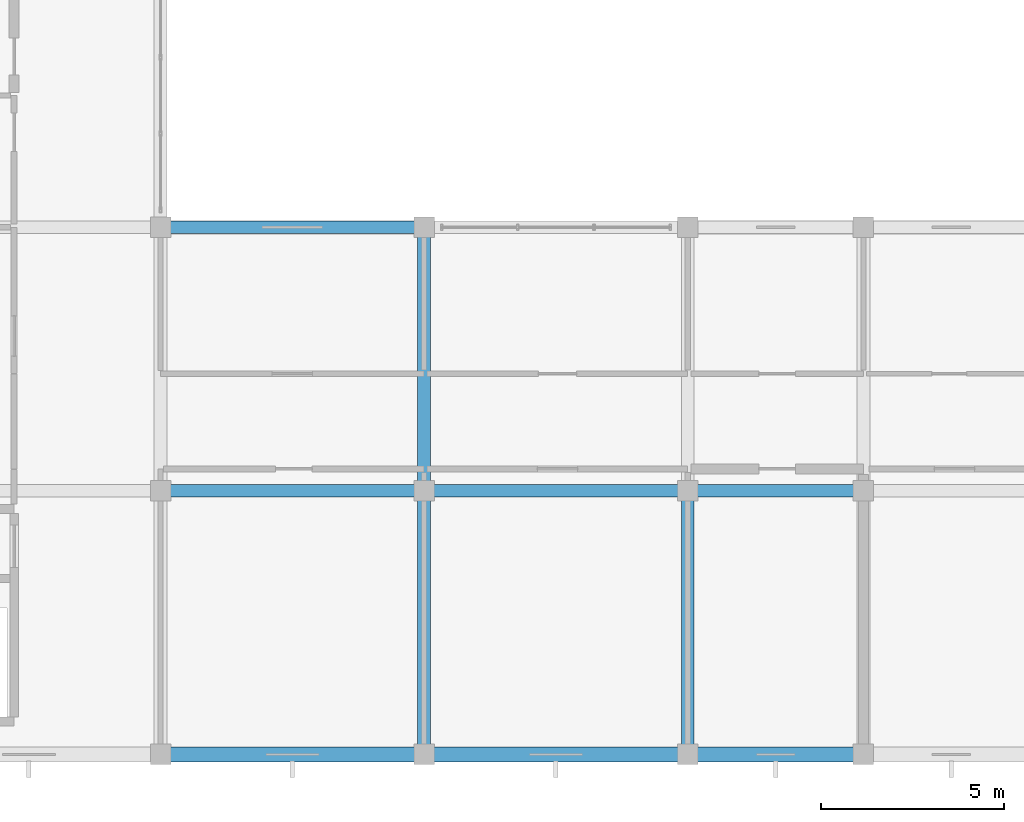
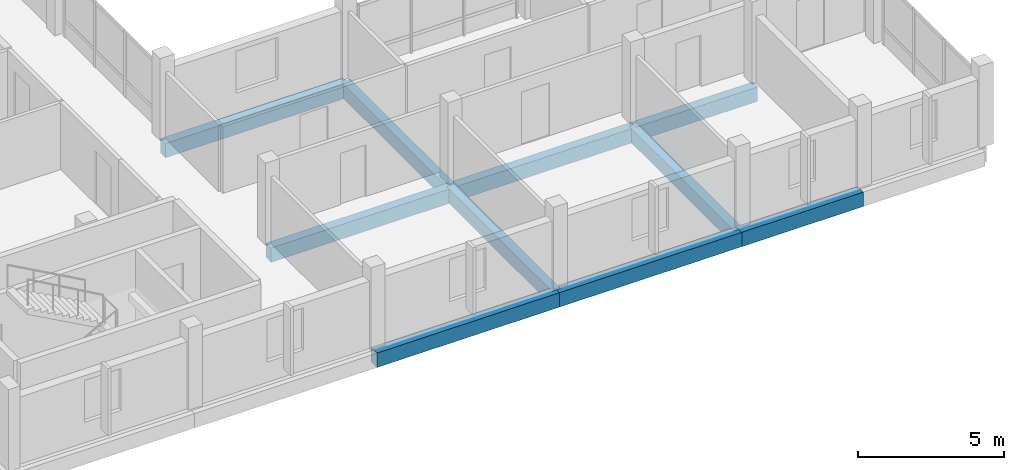
# One storey, part 5 of 66: 10 beams.
"""IFC4 building model written with IfcOpenShell, lengths in metres."""

from ifc_helpers import new_model, si_unit, direction, frame, origin, origin_2d, place, context, subcontext, project, spatial, rectangle, extrude, material, material_profile, profile_set, type_object, element, save


model = new_model("IFC4")

# Units and contexts
model_context = context("Model", 3, precision=1e-05, world=origin(), true_north=direction((0.0, 1.0)))
body_context = subcontext(model_context, "Body", "Model", "MODEL_VIEW")
ifc_project = project(units=[si_unit("LENGTHUNIT", "METRE"), si_unit("AREAUNIT", "SQUARE_METRE"), si_unit("VOLUMEUNIT", "CUBIC_METRE"), si_unit("PLANEANGLEUNIT", "RADIAN"), si_unit("MASSUNIT", "GRAM", prefix="KILO")], contexts=[model_context])

# Site, building, storey
site_placement = place(None, origin())
site = spatial("IfcSite", under=ifc_project, at=site_placement, CompositionType="ELEMENT")
building_placement = place(site_placement, origin())
building = spatial("IfcBuilding", under=site, at=building_placement, Name="Zornivar Specialist Clinic", CompositionType="ELEMENT")
storey_placement = place(building_placement, frame((0.0, 0.0, 16.0)))
storey = spatial("IfcBuildingStorey", under=building, at=storey_placement, Name="L04", CompositionType="ELEMENT", Elevation=16.0)

# Beams
ifc_material_1 = material(Name="Concrete C30/37", Category="concrete")
ifc_material_profile_1 = material_profile(ifc_material_1, rectangle(XDim=0.35009765625, YDim=0.60009765625, at=origin_2d()), Name="RC 350x600")
ifc_profile_set_1 = profile_set([ifc_material_profile_1], Name="Concrete C30/37")
beam_type_1 = type_object("IfcBeamType", Name="BM-RC-350x600", PredefinedType="BEAM", material=ifc_profile_set_1)
beam_1_placement = place(storey_placement, frame((14.39990234375, 7.199951171875, -0.580078125), z_axis=(1.0, 0.0, 0.0), x_axis=(0.0, 1.0, 0.0)))
element("IfcBeam", 1, at=beam_1_placement, inside=storey, type_object=beam_type_1, Name="bm:V2:L04:x:72:2", PredefinedType="BEAM", context=body_context, shape_type="SweptSolid", body=[
    extrude(rectangle(XDim=0.35009765625, YDim=0.60009765625, at=origin_2d()), origin(), (0.0, 0.0, 1.0), 7.2001953125),
])
beam_2_placement = place(storey_placement, frame((21.60009765625, 7.199951171875, -0.580078125), z_axis=(1.0, 0.0, 0.0), x_axis=(0.0, 1.0, 0.0)))
element("IfcBeam", 2, at=beam_2_placement, inside=storey, type_object=beam_type_1, Name="bm:V2:L04:x:72:3", PredefinedType="BEAM", context=body_context, shape_type="SweptSolid", body=[
    extrude(rectangle(XDim=0.35009765625, YDim=0.60009765625, at=origin_2d()), origin(), (0.0, 0.0, 1.0), 7.199951171875),
])
beam_3_placement = place(storey_placement, frame((28.800048828125, 7.199951171875, -0.580078125), z_axis=(1.0, 0.0, 0.0), x_axis=(0.0, 1.0, 0.0)))
element("IfcBeam", 3, at=beam_3_placement, inside=storey, type_object=beam_type_1, Name="bm:V2:L04:x:72:4", PredefinedType="BEAM", context=body_context, shape_type="SweptSolid", body=[
    extrude(rectangle(XDim=0.35009765625, YDim=0.60009765625, at=origin_2d()), origin(), (0.0, 0.0, 1.0), 4.800048828125),
])
beam_4_placement = place(storey_placement, frame((14.39990234375, 14.39990234375, -0.580078125), z_axis=(1.0, 0.0, 0.0), x_axis=(0.0, 1.0, 0.0)))
element("IfcBeam", 4, at=beam_4_placement, inside=storey, type_object=beam_type_1, Name="bm:V2:L04:x:144:2", PredefinedType="BEAM", context=body_context, shape_type="SweptSolid", body=[
    extrude(rectangle(XDim=0.35009765625, YDim=0.60009765625, at=origin_2d()), origin(), (0.0, 0.0, 1.0), 7.2001953125),
])
for number, where, z_axis, x_axis, name in (
    (5, (21.60009765625, 0.0, -0.580078125), (0.0, 1.0, 0.0), (-1.0, 0.0, 0.0), "bm:V2:L04:y:216:0"),
    (6, (21.60009765625, 7.199951171875, -0.580078125), (0.0, 1.0, 0.0), (-1.0, 0.0, 0.0), "bm:V2:L04:y:216:1"),
    (7, (28.800048828125, 0.0, -0.580078125), (0.0, 1.0, 0.0), (-1.0, 0.0, 0.0), "bm:V2:L04:y:288:0"),
):
    element("IfcBeam", number, at=place(storey_placement, frame(where, z_axis=z_axis, x_axis=x_axis)), inside=storey, type_object=beam_type_1, Name=name, PredefinedType="BEAM", context=body_context, shape_type="SweptSolid", body=[
        extrude(rectangle(XDim=0.35009765625, YDim=0.60009765625, at=origin_2d()), origin(), (0.0, 0.0, 1.0), 7.199951171875),
    ])
ifc_material_2 = material(Name="Concrete C30/37", Category="concrete")
ifc_material_profile_2 = material_profile(ifc_material_2, rectangle(XDim=0.409912109375, YDim=0.60009765625, at=origin_2d()), Name="RC 410x600")
ifc_profile_set_2 = profile_set([ifc_material_profile_2], Name="Concrete C30/37")
beam_type_2 = type_object("IfcBeamType", Name="BM-RC-SPANDREL-410x600", PredefinedType="SPANDREL", material=ifc_profile_set_2)
beam_5_placement = place(storey_placement, frame((14.39990234375, 0.0, -0.580078125), z_axis=(1.0, 0.0, 0.0), x_axis=(0.0, 1.0, 0.0)))
element("IfcBeam", 8, at=beam_5_placement, inside=storey, type_object=beam_type_2, Name="bm:V2:L04:x:0:2", PredefinedType="SPANDREL", context=body_context, shape_type="SweptSolid", body=[
    extrude(rectangle(XDim=0.409912109375, YDim=0.60009765625, at=origin_2d()), origin(), (0.0, 0.0, 1.0), 7.2001953125),
])
beam_6_placement = place(storey_placement, frame((21.60009765625, 0.0, -0.580078125), z_axis=(1.0, 0.0, 0.0), x_axis=(0.0, 1.0, 0.0)))
element("IfcBeam", 9, at=beam_6_placement, inside=storey, type_object=beam_type_2, Name="bm:V2:L04:x:0:3", PredefinedType="SPANDREL", context=body_context, shape_type="SweptSolid", body=[
    extrude(rectangle(XDim=0.409912109375, YDim=0.60009765625, at=origin_2d()), origin(), (0.0, 0.0, 1.0), 7.199951171875),
])
beam_7_placement = place(storey_placement, frame((28.800048828125, 0.0, -0.580078125), z_axis=(1.0, 0.0, 0.0), x_axis=(0.0, 1.0, 0.0)))
element("IfcBeam", 10, at=beam_7_placement, inside=storey, type_object=beam_type_2, Name="bm:V2:L04:x:0:4", PredefinedType="SPANDREL", context=body_context, shape_type="SweptSolid", body=[
    extrude(rectangle(XDim=0.409912109375, YDim=0.60009765625, at=origin_2d()), origin(), (0.0, 0.0, 1.0), 4.800048828125),
])

save(model, "model.ifc")
